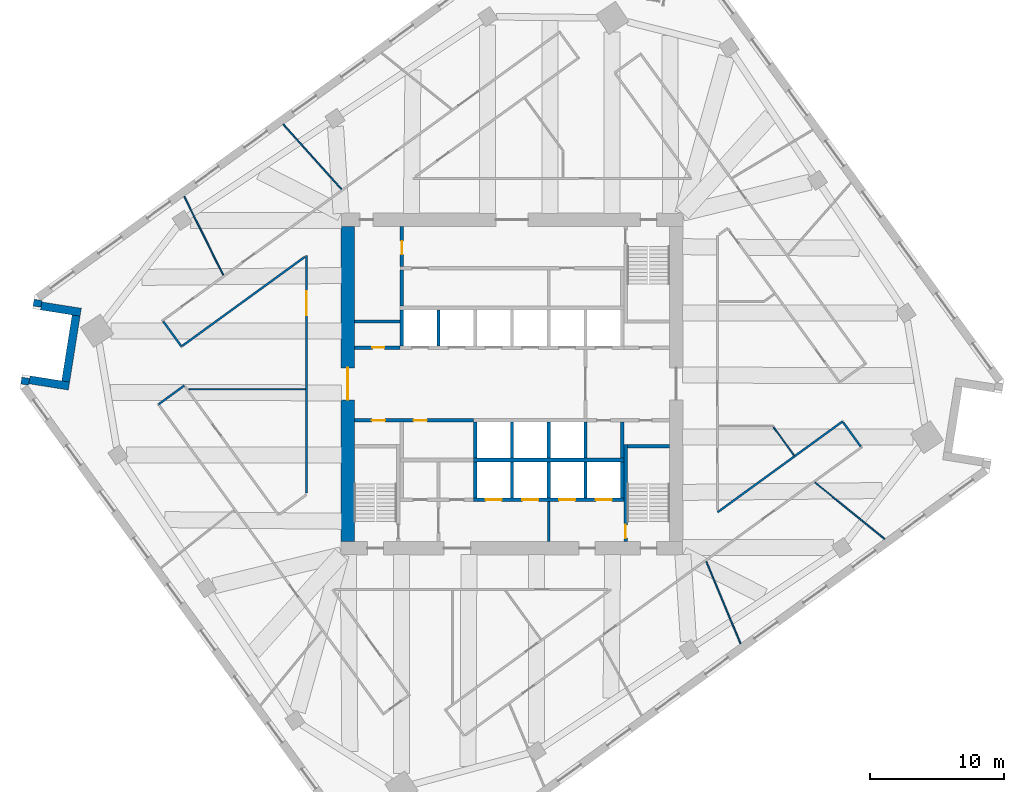
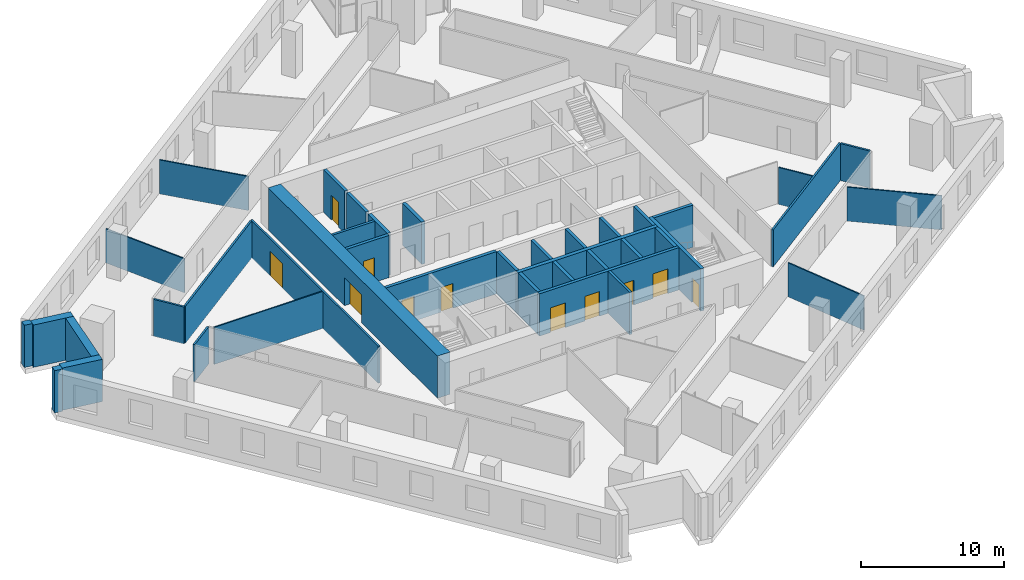
# One storey, part 6 of 11: 40 walls, 11 doors, 11 openings.
"""IFC4 building model written with IfcOpenShell, lengths in metres."""

from ifc_helpers import new_model, si_unit, direction, frame, frame_2d, origin, place, context, subcontext, project, spatial, rectangle, extrude, material, layer, layer_set, type_object, element, fill, save


model = new_model("IFC4")

# Units and contexts
model_context = context("Model", 3, precision=1e-05, world=origin(), true_north=direction((0.0, 1.0)))
body_context = subcontext(model_context, "Body", "Model", "MODEL_VIEW")
ifc_project = project(units=[si_unit("LENGTHUNIT", "METRE"), si_unit("AREAUNIT", "SQUARE_METRE"), si_unit("VOLUMEUNIT", "CUBIC_METRE"), si_unit("PLANEANGLEUNIT", "RADIAN"), si_unit("MASSUNIT", "GRAM", prefix="KILO")], contexts=[model_context])

# Site, building, storey
site_placement = place(None, origin())
site = spatial("IfcSite", under=ifc_project, at=site_placement, CompositionType="ELEMENT")
building_placement = place(site_placement, origin())
building = spatial("IfcBuilding", under=site, at=building_placement, Name="Dilmun Exchange Tower", CompositionType="ELEMENT")
storey_placement = place(building_placement, frame((0.0, 0.0, 167.699951171875)))
storey = spatial("IfcBuildingStorey", under=building, at=storey_placement, Name="L39", CompositionType="ELEMENT", Elevation=167.699951171875)

# Walls
ifc_material_1 = material(Name="Concrete C40/50", Category="concrete")
ifc_layer_1 = layer(ifc_material_1, 0.199951171875)
ifc_layer_set_1 = layer_set([ifc_layer_1], Name="Concrete C40/50")
wall_type_1 = type_object("IfcWallType", Name="Core partition wall 200", PredefinedType="PARTITIONING", material=ifc_layer_set_1)
wall_1_placement = place(storey_placement, frame((2.75, -11.794921875, 0.0), z_axis=(0.0, 0.0, 1.0), x_axis=(0.0, 1.0, 0.0)))
element("IfcWall", 1, at=wall_1_placement, inside=storey, type_object=wall_type_1, Name="L39 core partition wall 02", PredefinedType="PARTITIONING", context=body_context, shape_type="SweptSolid", body=[
    extrude(rectangle(XDim=2.989990234375, YDim=0.199951171875, at=frame_2d((1.4951171875, 0.0))), origin(), (0.0, 0.0, 1.0), 3.60009765625),
])
wall_2_placement = place(storey_placement, frame((-11.794921875, 4.675048828125, 0.0), z_axis=(0.0, 0.0, 1.0), x_axis=(1.0, 0.0, 0.0)))
element("IfcWall", 2, at=wall_2_placement, inside=storey, type_object=wall_type_1, Name="L39 core partition wall 14", PredefinedType="PARTITIONING", context=body_context, shape_type="SweptSolid", body=[
    extrude(rectangle(XDim=3.4150390625, YDim=0.199951171875, at=frame_2d((1.70751953125, 0.0))), origin(), (0.0, 0.0, 1.0), 3.60009765625),
])
ifc_layer_2 = layer(ifc_material_1, 0.25)
ifc_layer_set_2 = layer_set([ifc_layer_2], Name="Concrete C40/50")
wall_type_2 = type_object("IfcWallType", Name="Core partition wall 250", PredefinedType="PARTITIONING", material=ifc_layer_set_2)
wall_3_placement = place(storey_placement, frame((8.25, -5.544921875, 0.0), z_axis=(0.0, 0.0, 1.0), x_axis=(0.0, 1.0, 0.0)))
element("IfcWall", 3, at=wall_3_placement, inside=storey, type_object=wall_type_2, Name="L39 core partition wall 08", PredefinedType="PARTITIONING", context=body_context, shape_type="SweptSolid", body=[
    extrude(rectangle(XDim=2.68994140625, YDim=0.25, at=frame_2d((1.344970703125, 0.0))), origin(), (0.0, 0.0, 1.0), 3.60009765625),
])

# Wall, openings, doors
wall_4_placement = place(storey_placement, frame((-11.794921875, -2.72509765625, 0.0), z_axis=(0.0, 0.0, 1.0), x_axis=(1.0, 0.0, 0.0)))
wall_4 = element("IfcWall", 4, at=wall_4_placement, inside=storey, type_object=wall_type_2, Name="L39 core partition wall 09", PredefinedType="PARTITIONING", context=body_context, shape_type="SweptSolid", body=[
    extrude(rectangle(XDim=8.9150390625, YDim=0.25, at=frame_2d((4.45751953125, 0.0))), origin(), (0.0, 0.0, 1.0), 3.60009765625),
])
opening_1_placement = place(wall_4_placement, frame((1.294921875, 0.0, 0.0)))
opening_1 = element("IfcOpeningElement", 5, at=opening_1_placement, cuts=wall_4, Name="Opening CD4", PredefinedType="OPENING", context=body_context, shape_type="SweptSolid", body=[
    extrude(rectangle(XDim=1.0, YDim=2.10009765625, at=frame_2d((0.5, 1.050048828125))), frame((0.0, 0.135009765625, 0.0), z_axis=(0.0, -1.0, 0.0), x_axis=(1.0, 0.0, 0.0)), (0.0, 0.0, 1.0), 0.27001953125),
])
opening_2_placement = place(wall_4_placement, frame((4.419921875, 0.0, 0.0)))
opening_2 = element("IfcOpeningElement", 6, at=opening_2_placement, cuts=wall_4, Name="Opening CD4", PredefinedType="OPENING", context=body_context, shape_type="SweptSolid", body=[
    extrude(rectangle(XDim=1.0, YDim=2.10009765625, at=frame_2d((0.5, 1.050048828125))), frame((0.0, 0.135009765625, 0.0), z_axis=(0.0, -1.0, 0.0), x_axis=(1.0, 0.0, 0.0)), (0.0, 0.0, 1.0), 0.27001953125),
])
ifc_material_2 = material(Name="Fire-rated steel door set", Category="steel")
door_type_1 = type_object("IfcDoorType", Name="Core room door 1000x2100", OperationType="SINGLE_SWING_LEFT", PredefinedType="DOOR", material=ifc_material_2)
door_1_placement = place(opening_1_placement, origin())
door_1 = element("IfcDoor", 7, at=door_1_placement, inside=storey, type_object=door_type_1, Name="L39 door Accessible WC", OperationType="SINGLE_SWING_RIGHT", OverallHeight=2.10009765625, OverallWidth=1.0, PredefinedType="DOOR", context=body_context, shape_type="SweptSolid", body=[
    extrude(rectangle(XDim=1.0, YDim=2.10009765625, at=frame_2d((0.5, 1.050048828125))), frame((0.0, 0.02490234375, 0.0), z_axis=(0.0, -1.0, 0.0), x_axis=(1.0, 0.0, 0.0)), (0.0, 0.0, 1.0), 0.050048828125),
])
fill(opening_1, door_1)
door_2_placement = place(opening_2_placement, origin())
door_2 = element("IfcDoor", 8, at=door_2_placement, inside=storey, type_object=door_type_1, Name="L39 door Archive store", OperationType="SINGLE_SWING_RIGHT", OverallHeight=2.10009765625, OverallWidth=1.0, PredefinedType="DOOR", context=body_context, shape_type="SweptSolid", body=[
    extrude(rectangle(XDim=1.0, YDim=2.10009765625, at=frame_2d((0.5, 1.050048828125))), frame((0.0, 0.02490234375, 0.0), z_axis=(0.0, -1.0, 0.0), x_axis=(1.0, 0.0, 0.0)), (0.0, 0.0, 1.0), 0.050048828125),
])
fill(opening_2, door_2)

# Wall, opening, door
wall_5_placement = place(storey_placement, frame((-11.794921875, 2.72509765625, 0.0), z_axis=(0.0, 0.0, 1.0), x_axis=(1.0, 0.0, 0.0)))
wall_5 = element("IfcWall", 9, at=wall_5_placement, inside=storey, type_object=wall_type_2, Name="L39 core partition wall 12", PredefinedType="PARTITIONING", context=body_context, shape_type="SweptSolid", body=[
    extrude(rectangle(XDim=3.4150390625, YDim=0.25, at=frame_2d((1.70751953125, 0.0))), origin(), (0.0, 0.0, 1.0), 3.60009765625),
])
opening_3_placement = place(wall_5_placement, frame((1.344970703125, 0.0, 0.0)))
opening_3 = element("IfcOpeningElement", 10, at=opening_3_placement, cuts=wall_5, Name="Opening CD6", PredefinedType="OPENING", context=body_context, shape_type="SweptSolid", body=[
    extrude(rectangle(XDim=0.89990234375, YDim=2.10009765625, at=frame_2d((0.449951171875, 1.050048828125))), frame((0.0, 0.135009765625, 0.0), z_axis=(0.0, -1.0, 0.0), x_axis=(1.0, 0.0, 0.0)), (0.0, 0.0, 1.0), 0.27001953125),
])
door_type_2 = type_object("IfcDoorType", Name="Core room door 900x2100", OperationType="SINGLE_SWING_LEFT", PredefinedType="DOOR", material=ifc_material_2)
door_3_placement = place(opening_3_placement, origin())
door_3 = element("IfcDoor", 11, at=door_3_placement, inside=storey, type_object=door_type_2, Name="L39 door Plumbing riser", OperationType="SINGLE_SWING_RIGHT", OverallHeight=2.10009765625, OverallWidth=0.89990234375, PredefinedType="DOOR", context=body_context, shape_type="SweptSolid", body=[
    extrude(rectangle(XDim=0.89990234375, YDim=2.10009765625, at=frame_2d((0.449951171875, 1.050048828125))), frame((0.0, 0.02490234375, 0.0), z_axis=(0.0, -1.0, 0.0), x_axis=(1.0, 0.0, 0.0)), (0.0, 0.0, 1.0), 0.050048828125),
])
fill(opening_3, door_3)

# Wall
wall_6_placement = place(storey_placement, frame((-8.25, 5.85498046875, 0.0), z_axis=(0.0, 0.0, 1.0), x_axis=(0.0, 1.0, 0.0)))
element("IfcWall", 12, at=wall_6_placement, inside=storey, type_object=wall_type_2, Name="L39 core partition wall 15", PredefinedType="PARTITIONING", context=body_context, shape_type="SweptSolid", body=[
    extrude(rectangle(XDim=2.68994140625, YDim=0.25, at=frame_2d((1.344970703125, 0.0))), origin(), (0.0, 0.0, 1.0), 3.60009765625),
])

# Wall, opening, door
wall_7_placement = place(storey_placement, frame((-8.25, 8.804931640625, 0.0), z_axis=(0.0, 0.0, 1.0), x_axis=(0.0, 1.0, 0.0)))
wall_7 = element("IfcWall", 13, at=wall_7_placement, inside=storey, type_object=wall_type_2, Name="L39 core partition wall 19", PredefinedType="PARTITIONING", context=body_context, shape_type="SweptSolid", body=[
    extrude(rectangle(XDim=2.989990234375, YDim=0.25, at=frame_2d((1.4951171875, 0.0))), origin(), (0.0, 0.0, 1.0), 3.60009765625),
])
opening_4_placement = place(wall_7_placement, frame((0.89501953125, 0.0, 0.0)))
opening_4 = element("IfcOpeningElement", 14, at=opening_4_placement, cuts=wall_7, Name="Opening CD4", PredefinedType="OPENING", context=body_context, shape_type="SweptSolid", body=[
    extrude(rectangle(XDim=1.0, YDim=2.10009765625, at=frame_2d((0.5, 1.050048828125))), frame((0.0, 0.135009765625, 0.0), z_axis=(0.0, -1.0, 0.0), x_axis=(1.0, 0.0, 0.0)), (0.0, 0.0, 1.0), 0.27001953125),
])
door_4_placement = place(opening_4_placement, origin())
door_4 = element("IfcDoor", 15, at=door_4_placement, inside=storey, type_object=door_type_1, Name="L39 door Facilities office", OperationType="SINGLE_SWING_RIGHT", OverallHeight=2.10009765625, OverallWidth=1.0, PredefinedType="DOOR", context=body_context, shape_type="SweptSolid", body=[
    extrude(rectangle(XDim=1.0, YDim=2.10009765625, at=frame_2d((0.5, 1.050048828125))), frame((0.0, 0.02490234375, 0.0), z_axis=(0.0, -1.0, 0.0), x_axis=(1.0, 0.0, 0.0)), (0.0, 0.0, 1.0), 0.050048828125),
])
fill(opening_4, door_4)

ifc_material_3 = material(Name="Concrete C70/85", Category="concrete")
ifc_layer_3 = layer(ifc_material_3, 1.0)
ifc_layer_set_3 = layer_set([ifc_layer_3], Name="Concrete C70/85")
wall_type_3 = type_object("IfcWallType", Name="Core shear wall 1000 Concrete C70/85", PredefinedType="SHEAR", material=ifc_layer_set_3)
wall_8_placement = place(storey_placement, frame((-12.300048828125, -11.800048828125, 0.0), z_axis=(0.0, 0.0, 1.0), x_axis=(0.0, 1.0, 0.0)))
wall_8 = element("IfcWall", 16, at=wall_8_placement, inside=storey, type_object=wall_type_3, Name="L39 core shear wall W", PredefinedType="SHEAR", context=body_context, shape_type="SweptSolid", body=[
    extrude(rectangle(XDim=23.60009765625, YDim=1.0, at=frame_2d((11.800048828125, 0.0))), origin(), (0.0, 0.0, 1.0), 3.60009765625),
])
opening_5_placement = place(wall_8_placement, frame((10.60009765625, 0.0, 0.0)))
opening_5 = element("IfcOpeningElement", 17, at=opening_5_placement, cuts=wall_8, Name="Opening CD1", PredefinedType="OPENING", context=body_context, shape_type="SweptSolid", body=[
    extrude(rectangle(XDim=2.39990234375, YDim=2.39990234375, at=frame_2d((1.199951171875, 1.199951171875))), frame((0.0, 0.510009765625, 0.0), z_axis=(0.0, -1.0, 0.0), x_axis=(1.0, 0.0, 0.0)), (0.0, 0.0, 1.0), 1.02001953125),
])
door_type_3 = type_object("IfcDoorType", Name="Core lobby door 2400x2400", OperationType="DOUBLE_DOOR_DOUBLE_SWING", PredefinedType="DOOR", material=ifc_material_2)
door_5_placement = place(opening_5_placement, origin())
door_5 = element("IfcDoor", 18, at=door_5_placement, inside=storey, type_object=door_type_3, Name="L39 door Central lift lobby", OperationType="SINGLE_SWING_LEFT", OverallHeight=2.39990234375, OverallWidth=2.39990234375, PredefinedType="DOOR", context=body_context, shape_type="SweptSolid", body=[
    extrude(rectangle(XDim=2.39990234375, YDim=2.39990234375, at=frame_2d((1.199951171875, 1.199951171875))), frame((0.0, 0.02490234375, 0.0), z_axis=(0.0, -1.0, 0.0), x_axis=(1.0, 0.0, 0.0)), (0.0, 0.0, 1.0), 0.050048828125),
])
fill(opening_5, door_5)

# Walls
ifc_material_4 = material(Name="Corridor wall 150")
ifc_layer_4 = layer(ifc_material_4, 0.14990234375)
ifc_layer_set_4 = layer_set([ifc_layer_4], Name="Corridor wall 150")
wall_type_4 = type_object("IfcWallType", Name="Corridor wall 150", PredefinedType="PARTITIONING", material=ifc_layer_set_4)
wall_9_placement = place(storey_placement, frame((-26.48095703125, -1.528076171875, 0.0), z_axis=(0.0, 0.0, 1.0), x_axis=(0.809158191643, 0.587590861822, 0.0)))
element("IfcWall", 19, at=wall_9_placement, inside=storey, type_object=wall_type_4, Name="Corridor wall", PredefinedType="PARTITIONING", context=body_context, shape_type="SweptSolid", body=[
    extrude(rectangle(XDim=2.39990234375, YDim=0.14990234375, at=frame_2d((1.199951171875, 0.0))), origin(), (0.0, 0.0, 1.0), 3.150146484375),
])
wall_10_placement = place(storey_placement, frame((-26.121826171875, 4.688232421875, 0.0), z_axis=(0.0, 0.0, 1.0), x_axis=(0.5874596315, -0.809253471638, 0.0)))
element("IfcWall", 20, at=wall_10_placement, inside=storey, type_object=wall_type_4, Name="Corridor wall", PredefinedType="PARTITIONING", context=body_context, shape_type="SweptSolid", body=[
    extrude(rectangle(XDim=2.32470703125, YDim=0.14990234375, at=frame_2d((1.162353515625, 0.0))), origin(), (0.0, 0.0, 1.0), 3.150146484375),
])
wall_11_placement = place(storey_placement, frame((-24.6953125, 2.85107421875, 0.0), z_axis=(0.0, 0.0, 1.0), x_axis=(0.809035699289, 0.587759506326, 0.0)))
element("IfcWall", 21, at=wall_11_placement, inside=storey, type_object=wall_type_4, Name="Corridor wall", PredefinedType="PARTITIONING", context=body_context, shape_type="SweptSolid", body=[
    extrude(rectangle(XDim=11.34228515625, YDim=0.14990234375, at=frame_2d((5.671142578125, 0.0))), origin(), (0.0, 0.0, 1.0), 3.150146484375),
])

# Wall, opening, door
wall_12_placement = place(storey_placement, frame((-15.39990234375, -8.14990234375, 0.0), z_axis=(0.0, 0.0, 1.0), x_axis=(0.0, 1.0, 0.0)))
wall_12 = element("IfcWall", 22, at=wall_12_placement, inside=storey, type_object=wall_type_4, Name="Corridor wall", PredefinedType="PARTITIONING", context=body_context, shape_type="SweptSolid", body=[
    extrude(rectangle(XDim=17.75390625, YDim=0.14990234375, at=frame_2d((8.876953125, 0.0))), origin(), (0.0, 0.0, 1.0), 3.150146484375),
])
opening_6_placement = place(wall_12_placement, frame((13.304443359375, 0.0, 0.0)))
opening_6 = element("IfcOpeningElement", 23, at=opening_6_placement, cuts=wall_12, Name="Opening TF38-D01", PredefinedType="OPENING", context=body_context, shape_type="SweptSolid", body=[
    extrude(rectangle(XDim=1.800048828125, YDim=2.10009765625, at=frame_2d((0.89990234375, 1.050048828125))), frame((0.0, 0.0849609375, 0.0), z_axis=(0.0, -1.0, 0.0), x_axis=(1.0, 0.0, 0.0)), (0.0, 0.0, 1.0), 0.169921875),
])
ifc_material_5 = material(Name="Fire door pair 1800 x 2100")
door_type_4 = type_object("IfcDoorType", Name="Fire door pair 1800 x 2100", OperationType="NOTDEFINED", PredefinedType="DOOR", material=ifc_material_5)
door_6_placement = place(opening_6_placement, origin())
door_6 = element("IfcDoor", 24, at=door_6_placement, inside=storey, type_object=door_type_4, Name="Door TF38-D01", OperationType="DOUBLE_DOOR_SINGLE_SWING", OverallHeight=2.10009765625, OverallWidth=1.800048828125, PredefinedType="DOOR", context=body_context, shape_type="SweptSolid", body=[
    extrude(rectangle(XDim=1.800048828125, YDim=2.10009765625, at=frame_2d((0.89990234375, 1.050048828125))), frame((0.0, 0.02490234375, 0.0), z_axis=(0.0, -1.0, 0.0), x_axis=(1.0, 0.0, 0.0)), (0.0, 0.0, 1.0), 0.050048828125),
])
fill(opening_6, door_6)

# Walls
wall_13_placement = place(storey_placement, frame((15.39990234375, -9.60400390625, 0.0), z_axis=(0.0, 0.0, 1.0), x_axis=(0.809039975854, 0.5877536197, 0.0)))
element("IfcWall", 25, at=wall_13_placement, inside=storey, type_object=wall_type_4, Name="Corridor wall", PredefinedType="PARTITIONING", context=body_context, shape_type="SweptSolid", body=[
    extrude(rectangle(XDim=11.564453125, YDim=0.14990234375, at=frame_2d((5.7822265625, 0.0))), origin(), (0.0, 0.0, 1.0), 3.150146484375),
])
wall_14_placement = place(storey_placement, frame((24.800048828125, -2.86767578125, 0.0), z_axis=(0.0, 0.0, 1.0), x_axis=(0.587513359373, -0.809214466355, 0.0)))
element("IfcWall", 26, at=wall_14_placement, inside=storey, type_object=wall_type_4, Name="Corridor wall", PredefinedType="PARTITIONING", context=body_context, shape_type="SweptSolid", body=[
    extrude(rectangle(XDim=2.249755859375, YDim=0.14990234375, at=frame_2d((1.125, 0.0))), origin(), (0.0, 0.0, 1.0), 3.150146484375),
])
ifc_layer_5 = layer(ifc_material_1, 0.300048828125)
ifc_layer_set_5 = layer_set([ifc_layer_5], Name="Concrete C40/50")
wall_type_5 = type_object("IfcWallType", Name="Lift shaft shared wall 300", PredefinedType="SOLIDWALL", material=ifc_layer_set_5)
wall_15_placement = place(storey_placement, frame((-2.875, -5.699951171875, 0.0), z_axis=(0.0, 0.0, 1.0), x_axis=(1.0, 0.0, 0.0)))
element("IfcWall", 27, at=wall_15_placement, inside=storey, type_object=wall_type_5, Name="L39 lift shaft rear wall S", PredefinedType="SOLIDWALL", context=body_context, shape_type="SweptSolid", body=[
    extrude(rectangle(XDim=11.25, YDim=0.300048828125, at=frame_2d((5.625, 0.0))), origin(), (0.0, 0.0, 1.0), 3.60009765625),
])
ifc_layer_6 = layer(ifc_material_1, 0.25)
ifc_layer_set_6 = layer_set([ifc_layer_6], Name="Concrete C40/50")
wall_type_6 = type_object("IfcWallType", Name="Lift shaft wall 250", PredefinedType="SOLIDWALL", material=ifc_layer_set_6)
for number, where, z_axis, x_axis, name in (
    (28, (-8.25, 2.85009765625, 0.0), (0.0, 0.0, 1.0), (0.0, 1.0, 0.0), "L39 lift shaft divider N10"),
    (29, (-5.5, 2.85009765625, 0.0), (0.0, 0.0, 1.0), (0.0, 1.0, 0.0), "L39 lift shaft divider N11"),
    (30, (-2.75, -5.550048828125, 0.0), (0.0, 0.0, 1.0), (0.0, 1.0, 0.0), "L39 lift shaft divider S12"),
    (31, (0.0, -5.550048828125, 0.0), (0.0, 0.0, 1.0), (0.0, 1.0, 0.0), "L39 lift shaft divider S13"),
    (32, (2.75, -5.550048828125, 0.0), (0.0, 0.0, 1.0), (0.0, 1.0, 0.0), "L39 lift shaft divider S14"),
    (33, (5.5, -5.550048828125, 0.0), (0.0, 0.0, 1.0), (0.0, 1.0, 0.0), "L39 lift shaft divider S15"),
):
    element("IfcWall", number, at=place(storey_placement, frame(where, z_axis=z_axis, x_axis=x_axis)), inside=storey, type_object=wall_type_6, Name=name, PredefinedType="SOLIDWALL", context=body_context, shape_type="SweptSolid", body=[
        extrude(rectangle(XDim=2.699951171875, YDim=0.25, at=frame_2d((1.35009765625, 0.0))), origin(), (0.0, 0.0, 1.0), 3.60009765625),
    ])

# Wall, openings, doors
wall_16_placement = place(storey_placement, frame((-2.875, -8.675048828125, 0.0), z_axis=(0.0, 0.0, 1.0), x_axis=(1.0, 0.0, 0.0)))
wall_16 = element("IfcWall", 34, at=wall_16_placement, inside=storey, type_object=wall_type_6, Name="L39 lift shaft front wall S2", PredefinedType="SOLIDWALL", context=body_context, shape_type="SweptSolid", body=[
    extrude(rectangle(XDim=11.25, YDim=0.25, at=frame_2d((5.625, 0.0))), origin(), (0.0, 0.0, 1.0), 3.60009765625),
])
opening_7_placement = place(wall_16_placement, frame((0.89990234375, 0.0, 0.0)))
opening_7 = element("IfcOpeningElement", 35, at=opening_7_placement, cuts=wall_16, Name="Opening LD", PredefinedType="OPENING", context=body_context, shape_type="SweptSolid", body=[
    extrude(rectangle(XDim=1.199951171875, YDim=2.10009765625, at=frame_2d((0.60009765625, 1.050048828125))), frame((0.0, 0.135009765625, 0.0), z_axis=(0.0, -1.0, 0.0), x_axis=(1.0, 0.0, 0.0)), (0.0, 0.0, 1.0), 0.27001953125),
])
opening_8_placement = place(wall_16_placement, frame((3.64990234375, 0.0, 0.0)))
opening_8 = element("IfcOpeningElement", 36, at=opening_8_placement, cuts=wall_16, Name="Opening LD", PredefinedType="OPENING", context=body_context, shape_type="SweptSolid", body=[
    extrude(rectangle(XDim=1.199951171875, YDim=2.10009765625, at=frame_2d((0.60009765625, 1.050048828125))), frame((0.0, 0.135009765625, 0.0), z_axis=(0.0, -1.0, 0.0), x_axis=(1.0, 0.0, 0.0)), (0.0, 0.0, 1.0), 0.27001953125),
])
opening_9_placement = place(wall_16_placement, frame((6.39990234375, 0.0, 0.0)))
opening_9 = element("IfcOpeningElement", 37, at=opening_9_placement, cuts=wall_16, Name="Opening LD", PredefinedType="OPENING", context=body_context, shape_type="SweptSolid", body=[
    extrude(rectangle(XDim=1.199951171875, YDim=2.10009765625, at=frame_2d((0.60009765625, 1.050048828125))), frame((0.0, 0.135009765625, 0.0), z_axis=(0.0, -1.0, 0.0), x_axis=(1.0, 0.0, 0.0)), (0.0, 0.0, 1.0), 0.27001953125),
])
opening_10_placement = place(wall_16_placement, frame((9.14990234375, 0.0, 0.0)))
opening_10 = element("IfcOpeningElement", 38, at=opening_10_placement, cuts=wall_16, Name="Opening LD", PredefinedType="OPENING", context=body_context, shape_type="SweptSolid", body=[
    extrude(rectangle(XDim=1.199951171875, YDim=2.10009765625, at=frame_2d((0.60009765625, 1.050048828125))), frame((0.0, 0.135009765625, 0.0), z_axis=(0.0, -1.0, 0.0), x_axis=(1.0, 0.0, 0.0)), (0.0, 0.0, 1.0), 0.27001953125),
])
door_type_5 = type_object("IfcDoorType", Name="Lift landing door 1200x2100", OperationType="DOUBLE_DOOR_SLIDING", PredefinedType="DOOR", material=ifc_material_2)
door_7_placement = place(opening_7_placement, origin())
door_7 = element("IfcDoor", 39, at=door_7_placement, inside=storey, type_object=door_type_5, Name="L39 landing door SV1", OperationType="DOUBLE_DOOR_SLIDING", OverallHeight=2.10009765625, OverallWidth=1.199951171875, PredefinedType="DOOR", context=body_context, shape_type="SweptSolid", body=[
    extrude(rectangle(XDim=1.199951171875, YDim=2.10009765625, at=frame_2d((0.60009765625, 1.050048828125))), frame((0.0, 0.02490234375, 0.0), z_axis=(0.0, -1.0, 0.0), x_axis=(1.0, 0.0, 0.0)), (0.0, 0.0, 1.0), 0.050048828125),
])
fill(opening_7, door_7)
door_8_placement = place(opening_8_placement, origin())
door_8 = element("IfcDoor", 40, at=door_8_placement, inside=storey, type_object=door_type_5, Name="L39 landing door SV2", OperationType="DOUBLE_DOOR_SLIDING", OverallHeight=2.10009765625, OverallWidth=1.199951171875, PredefinedType="DOOR", context=body_context, shape_type="SweptSolid", body=[
    extrude(rectangle(XDim=1.199951171875, YDim=2.10009765625, at=frame_2d((0.60009765625, 1.050048828125))), frame((0.0, 0.02490234375, 0.0), z_axis=(0.0, -1.0, 0.0), x_axis=(1.0, 0.0, 0.0)), (0.0, 0.0, 1.0), 0.050048828125),
])
fill(opening_8, door_8)
door_9_placement = place(opening_9_placement, origin())
door_9 = element("IfcDoor", 41, at=door_9_placement, inside=storey, type_object=door_type_5, Name="L39 landing door FF1", OperationType="DOUBLE_DOOR_SLIDING", OverallHeight=2.10009765625, OverallWidth=1.199951171875, PredefinedType="DOOR", context=body_context, shape_type="SweptSolid", body=[
    extrude(rectangle(XDim=1.199951171875, YDim=2.10009765625, at=frame_2d((0.60009765625, 1.050048828125))), frame((0.0, 0.02490234375, 0.0), z_axis=(0.0, -1.0, 0.0), x_axis=(1.0, 0.0, 0.0)), (0.0, 0.0, 1.0), 0.050048828125),
])
fill(opening_9, door_9)
door_10_placement = place(opening_10_placement, origin())
door_10 = element("IfcDoor", 42, at=door_10_placement, inside=storey, type_object=door_type_5, Name="L39 landing door FF2", OperationType="DOUBLE_DOOR_SLIDING", OverallHeight=2.10009765625, OverallWidth=1.199951171875, PredefinedType="DOOR", context=body_context, shape_type="SweptSolid", body=[
    extrude(rectangle(XDim=1.199951171875, YDim=2.10009765625, at=frame_2d((0.60009765625, 1.050048828125))), frame((0.0, 0.02490234375, 0.0), z_axis=(0.0, -1.0, 0.0), x_axis=(1.0, 0.0, 0.0)), (0.0, 0.0, 1.0), 0.050048828125),
])
fill(opening_10, door_10)

# Walls
for number, where, z_axis, x_axis, name in (
    (43, (-2.75, -8.550048828125, 0.0), (0.0, 0.0, 1.0), (0.0, 1.0, 0.0), "L39 lift shaft divider S22"),
    (44, (0.0, -8.550048828125, 0.0), (0.0, 0.0, 1.0), (0.0, 1.0, 0.0), "L39 lift shaft divider S23"),
    (45, (2.75, -8.550048828125, 0.0), (0.0, 0.0, 1.0), (0.0, 1.0, 0.0), "L39 lift shaft divider S24"),
    (46, (5.5, -8.550048828125, 0.0), (0.0, 0.0, 1.0), (0.0, 1.0, 0.0), "L39 lift shaft divider S25"),
    (47, (8.25, -8.550048828125, 0.0), (0.0, 0.0, 1.0), (0.0, 1.0, 0.0), "L39 lift shaft divider S26"),
):
    element("IfcWall", number, at=place(storey_placement, frame(where, z_axis=z_axis, x_axis=x_axis)), inside=storey, type_object=wall_type_6, Name=name, PredefinedType="SOLIDWALL", context=body_context, shape_type="SweptSolid", body=[
        extrude(rectangle(XDim=2.699951171875, YDim=0.25, at=frame_2d((1.35009765625, 0.0))), origin(), (0.0, 0.0, 1.0), 3.60009765625),
    ])
ifc_material_6 = material(Name="Partition 100")
ifc_layer_7 = layer(ifc_material_6, 0.10009765625)
ifc_layer_set_7 = layer_set([ifc_layer_7], Name="Partition 100")
wall_type_7 = type_object("IfcWallType", Name="Partition 100", PredefinedType="PARTITIONING", material=ifc_layer_set_7)
wall_17_placement = place(storey_placement, frame((-24.549072265625, 14.05224609375, 0.0), z_axis=(0.0, 0.0, 1.0), x_axis=(0.443265486379, -0.896390377339, 0.0)))
element("IfcWall", 48, at=wall_17_placement, inside=storey, type_object=wall_type_7, Name="Partition", PredefinedType="PARTITIONING", context=body_context, shape_type="SweptSolid", body=[
    extrude(rectangle(XDim=6.586669921875, YDim=0.10009765625, at=frame_2d((3.29345703125, 0.0))), origin(), (0.0, 0.0, 1.0), 2.900146484375),
])
wall_18_placement = place(storey_placement, frame((-24.208984375, -0.39501953125, 0.0), z_axis=(0.0, 0.0, 1.0), x_axis=(1.0, 0.0, 0.0)))
element("IfcWall", 49, at=wall_18_placement, inside=storey, type_object=wall_type_7, Name="Partition", PredefinedType="PARTITIONING", context=body_context, shape_type="SweptSolid", body=[
    extrude(rectangle(XDim=8.73388671875, YDim=0.10009765625, at=frame_2d((4.366943359375, 0.0))), origin(), (0.0, 0.0, 1.0), 3.150146484375),
])
wall_19_placement = place(storey_placement, frame((-17.13623046875, 19.43798828125, 0.0), z_axis=(0.0, 0.0, 1.0), x_axis=(0.66853916977, -0.743676931526, 0.0)))
element("IfcWall", 50, at=wall_19_placement, inside=storey, type_object=wall_type_7, Name="Partition", PredefinedType="PARTITIONING", context=body_context, shape_type="SweptSolid", body=[
    extrude(rectangle(XDim=6.531005859375, YDim=0.10009765625, at=frame_2d((3.265625, 0.0))), origin(), (0.0, 0.0, 1.0), 2.900146484375),
])
wall_20_placement = place(storey_placement, frame((14.55419921875, -13.292236328125, 0.0), z_axis=(0.0, 0.0, 1.0), x_axis=(0.384012483771, -0.923327900753, 0.0)))
element("IfcWall", 51, at=wall_20_placement, inside=storey, type_object=wall_type_7, Name="Partition", PredefinedType="PARTITIONING", context=body_context, shape_type="SweptSolid", body=[
    extrude(rectangle(XDim=6.671630859375, YDim=0.10009765625, at=frame_2d((3.3359375, 0.0))), origin(), (0.0, 0.0, 1.0), 2.900146484375),
])
wall_21_placement = place(storey_placement, frame((19.589599609375, -3.2333984375, 0.0), z_axis=(0.0, 0.0, 1.0), x_axis=(0.587855456346, -0.80896598349, 0.0)))
element("IfcWall", 52, at=wall_21_placement, inside=storey, type_object=wall_type_7, Name="Partition", PredefinedType="PARTITIONING", context=body_context, shape_type="SweptSolid", body=[
    extrude(rectangle(XDim=2.616943359375, YDim=0.10009765625, at=frame_2d((1.30859375, 0.0))), origin(), (0.0, 0.0, 1.0), 3.150146484375),
])
wall_22_placement = place(storey_placement, frame((22.695556640625, -7.37841796875, 0.0), z_axis=(0.0, 0.0, 1.0), x_axis=(0.776171827552, -0.630521446197, 0.0)))
element("IfcWall", 53, at=wall_22_placement, inside=storey, type_object=wall_type_7, Name="Partition", PredefinedType="PARTITIONING", context=body_context, shape_type="SweptSolid", body=[
    extrude(rectangle(XDim=6.71484375, YDim=0.10009765625, at=frame_2d((3.357421875, 0.0))), origin(), (0.0, 0.0, 1.0), 2.900146484375),
])
ifc_material_7 = material(Name="Precast concrete C50/60", Category="concrete")
ifc_layer_8 = layer(ifc_material_7, 0.60009765625)
ifc_layer_set_8 = layer_set([ifc_layer_8], Name="Precast concrete C50/60")
wall_type_8 = type_object("IfcWallType", Name="Precast stone-clad wall 600", PredefinedType="STANDARD", material=ifc_layer_set_8)
wall_23_placement = place(storey_placement, frame((-35.497314453125, 6.296142578125, 0.0), z_axis=(0.0, 0.0, 1.0), x_axis=(-0.156649231492, -0.987654300994, 0.0)))
element("IfcWall", 54, at=wall_23_placement, inside=storey, type_object=wall_type_8, Name="Facade wall L39-04", PredefinedType="STANDARD", context=body_context, shape_type="SweptSolid", body=[
    extrude(rectangle(XDim=0.51123046875, YDim=0.60009765625, at=frame_2d((0.255615234375, 0.0))), origin(), (0.0, 0.0, 1.0), 3.60009765625),
])
wall_24_placement = place(storey_placement, frame((-35.265380859375, 5.843017578125, 0.0), z_axis=(0.0, 0.0, 1.0), x_axis=(0.987692262674, -0.156409699997, 0.0)))
element("IfcWall", 55, at=wall_24_placement, inside=storey, type_object=wall_type_8, Name="Facade wall L39-05", PredefinedType="STANDARD", context=body_context, shape_type="SweptSolid", body=[
    extrude(rectangle(XDim=3.0, YDim=0.60009765625, at=frame_2d((1.5, 0.0))), origin(), (0.0, 0.0, 1.0), 3.60009765625),
])
wall_25_placement = place(storey_placement, frame((-32.6455078125, 5.12451171875, 0.0), z_axis=(0.0, 0.0, 1.0), x_axis=(-0.156443969736, -0.987686835152, 0.0)))
element("IfcWall", 56, at=wall_25_placement, inside=storey, type_object=wall_type_8, Name="Facade wall L39-06", PredefinedType="STANDARD", context=body_context, shape_type="SweptSolid", body=[
    extrude(rectangle(XDim=5.0, YDim=0.60009765625, at=frame_2d((2.5, 0.0))), origin(), (0.0, 0.0, 1.0), 3.60009765625),
])
wall_26_placement = place(storey_placement, frame((-33.178466796875, -0.1572265625, 0.0), z_axis=(0.0, 0.0, 1.0), x_axis=(-0.987690271588, 0.156422272742, 0.0)))
element("IfcWall", 57, at=wall_26_placement, inside=storey, type_object=wall_type_8, Name="Facade wall L39-07", PredefinedType="STANDARD", context=body_context, shape_type="SweptSolid", body=[
    extrude(rectangle(XDim=2.999755859375, YDim=0.60009765625, at=frame_2d((1.5, 0.0))), origin(), (0.0, 0.0, 1.0), 3.60009765625),
])
wall_27_placement = place(storey_placement, frame((-36.422119140625, 0.457763671875, 0.0), z_axis=(0.0, 0.0, 1.0), x_axis=(-0.156575375554, -0.987666012258, 0.0)))
element("IfcWall", 58, at=wall_27_placement, inside=storey, type_object=wall_type_8, Name="Facade wall L39-08", PredefinedType="STANDARD", context=body_context, shape_type="SweptSolid", body=[
    extrude(rectangle(XDim=0.511474609375, YDim=0.60009765625, at=frame_2d((0.255859375, 0.0))), origin(), (0.0, 0.0, 1.0), 3.60009765625),
])
ifc_layer_9 = layer(ifc_material_1, 0.25)
ifc_layer_set_9 = layer_set([ifc_layer_9], Name="Concrete C40/50")
wall_type_9 = type_object("IfcWallType", Name="Stair end wall 250", PredefinedType="SOLIDWALL", material=ifc_layer_set_9)
wall_28_placement = place(storey_placement, frame((8.64990234375, -4.675048828125, 0.0), z_axis=(0.0, 0.0, 1.0), x_axis=(1.0, 0.0, 0.0)))
element("IfcWall", 59, at=wall_28_placement, inside=storey, type_object=wall_type_9, Name="L39 ST3 far wall", PredefinedType="SOLIDWALL", context=body_context, shape_type="SweptSolid", body=[
    extrude(rectangle(XDim=3.150146484375, YDim=0.25, at=frame_2d((1.5751953125, 0.0))), origin(), (0.0, 0.0, 1.0), 3.60009765625),
])

# Wall, opening, door
ifc_layer_10 = layer(ifc_material_1, 0.27490234375)
ifc_layer_set_10 = layer_set([ifc_layer_10], Name="Concrete C40/50")
wall_type_10 = type_object("IfcWallType", Name="Stair wall 275", PredefinedType="SOLIDWALL", material=ifc_layer_set_10)
wall_29_placement = place(storey_placement, frame((8.512451171875, -4.550048828125, 0.0), z_axis=(0.0, 0.0, 1.0), x_axis=(0.0, -1.0, 0.0)))
wall_29 = element("IfcWall", 60, at=wall_29_placement, inside=storey, type_object=wall_type_10, Name="L39 ST3 wall to lift block", PredefinedType="SOLIDWALL", context=body_context, shape_type="SweptSolid", body=[
    extrude(rectangle(XDim=7.25, YDim=0.27490234375, at=frame_2d((3.625, 0.0))), origin(), (0.0, 0.0, 1.0), 3.60009765625),
])
opening_11_placement = place(wall_29_placement, frame((6.0, 0.0, 0.0)))
opening_11 = element("IfcOpeningElement", 61, at=opening_11_placement, cuts=wall_29, Name="Opening CD4", PredefinedType="OPENING", context=body_context, shape_type="SweptSolid", body=[
    extrude(rectangle(XDim=1.0, YDim=2.10009765625, at=frame_2d((0.5, 1.050048828125))), frame((0.0, 0.1474609375, 0.0), z_axis=(0.0, -1.0, 0.0), x_axis=(1.0, 0.0, 0.0)), (0.0, 0.0, 1.0), 0.294921875),
])
door_11_placement = place(opening_11_placement, origin())
door_11 = element("IfcDoor", 62, at=door_11_placement, inside=storey, type_object=door_type_1, Name="L39 door ST3 from lobby", OperationType="SINGLE_SWING_LEFT", OverallHeight=2.10009765625, OverallWidth=1.0, PredefinedType="DOOR", context=body_context, shape_type="SweptSolid", body=[
    extrude(rectangle(XDim=1.0, YDim=2.10009765625, at=frame_2d((0.5, 1.050048828125))), frame((0.0, 0.02490234375, 0.0), z_axis=(0.0, -1.0, 0.0), x_axis=(1.0, 0.0, 0.0)), (0.0, 0.0, 1.0), 0.050048828125),
])
fill(opening_11, door_11)

save(model, "model.ifc")
